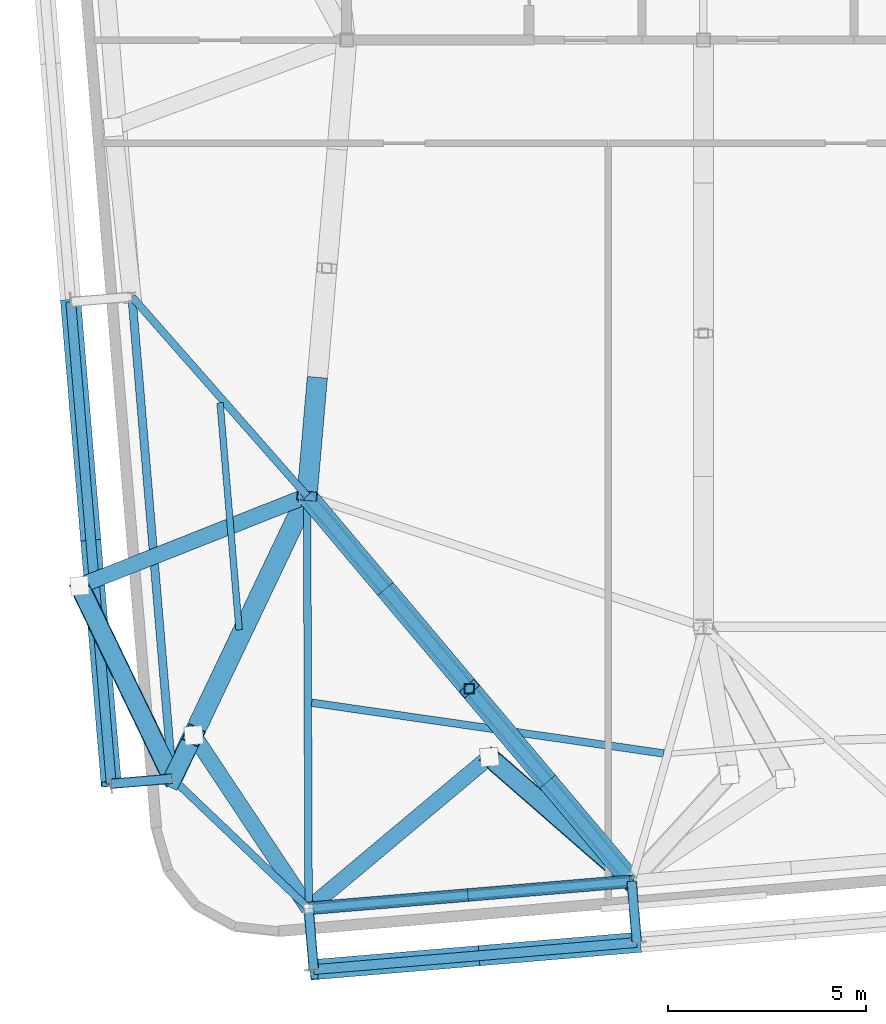
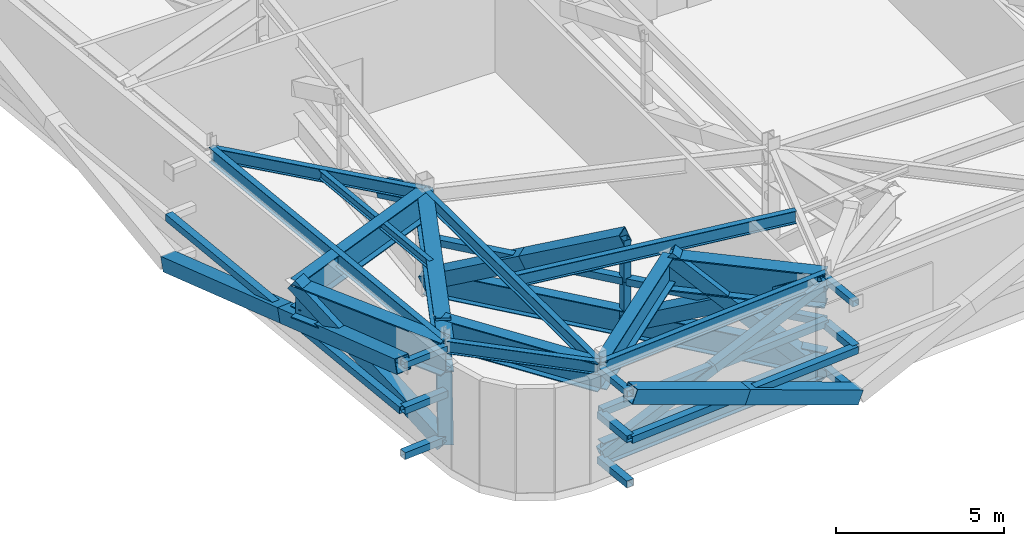
# One storey, part 7 of 26: 31 members, 13 beams.
"""IFC4 building model written with IfcOpenShell, lengths in metres."""

import ifcopenshell
import ifcopenshell.guid

model = None  # the IFC model being written
_history = None  # IfcOwnerHistory: only IFC2X3 demands one
_inside = {}  # id of a spatial element -> (the spatial element, [elements in it])
_under = {}  # id of a project, library or spatial element -> (it, [spatial elements below it])
_declared = {}  # id of a project -> (the project, [libraries it declares])
_typed = {}  # id of a type object -> (the type object, [elements of that type])
_made_of = {}  # id of a material, layer set ... -> (it, [elements and type objects made of it])


def new_model(schema):
    """Start an empty IFC model of exactly this schema.

    Asked for "IFC4X3", IfcOpenShell would pick the latest addendum, in which some entities
    have other attributes; the version numbers below select the first issue.
    IFC2X3 requires an IfcOwnerHistory on every rooted entity: one is made here for all.
    """
    global model, _history
    if schema == "IFC4X3":
        model = ifcopenshell.file(schema_version=(4, 3, 0, 0))
    else:
        model = ifcopenshell.file(schema=schema)
    _inside.clear()
    _under.clear()
    _declared.clear()
    _typed.clear()
    _made_of.clear()
    _history = None
    if model.schema == "IFC2X3":
        org = make("IfcOrganization", Name="unknown")
        user = make(
            "IfcPersonAndOrganization",
            ThePerson=make("IfcPerson", FamilyName="unknown"),
            TheOrganization=org,
        )
        app = make(
            "IfcApplication",
            ApplicationDeveloper=org,
            Version="unknown",
            ApplicationFullName="unknown",
            ApplicationIdentifier="unknown",
        )
        _history = make(
            "IfcOwnerHistory",
            OwningUser=user,
            OwningApplication=app,
            ChangeAction="ADDED",
            CreationDate=0,
        )
    return model


def make(cls, **values):
    """One entity of the class cls with the attributes given. An attribute that is None is left unset."""
    return model.create_entity(
        cls, **{name: value for name, value in values.items() if value is not None}
    )


def rooted(cls, **values):
    """An entity with a GlobalId (a new one), such as an element, a storey or a relation."""
    return make(cls, GlobalId=ifcopenshell.guid.new(), OwnerHistory=_history, **values)


def si_unit(unit_type, name, prefix=None):
    """IfcSIUnit, for example si_unit("LENGTHUNIT", "METRE", prefix="MILLI")."""
    return make("IfcSIUnit", UnitType=unit_type, Prefix=prefix, Name=name)


def assignment(units):
    """IfcUnitAssignment: the units of a project."""
    return None if units is None else make("IfcUnitAssignment", Units=units)


def point(xyz):
    """IfcCartesianPoint."""
    return None if xyz is None else make("IfcCartesianPoint", Coordinates=xyz)


def direction(xyz):
    """IfcDirection."""
    return None if xyz is None else make("IfcDirection", DirectionRatios=xyz)


def frame(location, z_axis=None, x_axis=None):
    """IfcAxis2Placement3D, a coordinate frame: its origin and axes. An axis left out is left unset."""
    return make(
        "IfcAxis2Placement3D",
        Location=point(location),
        Axis=direction(z_axis),
        RefDirection=direction(x_axis),
    )


def frame_2d(location, x_axis=None):
    """IfcAxis2Placement2D, a coordinate frame in the plane: its origin and x axis."""
    return make(
        "IfcAxis2Placement2D", Location=point(location), RefDirection=direction(x_axis)
    )


def origin():
    """The frame at (0, 0, 0) with its axes left unset."""
    return frame((0.0, 0.0, 0.0))


def origin_2d():
    """The frame at (0, 0) in the plane with its x axis left unset."""
    return frame_2d((0.0, 0.0))


def place(relative_to, where):
    """IfcLocalPlacement: puts the frame where relative to a parent placement (None: the world)."""
    return make(
        "IfcLocalPlacement", PlacementRelTo=relative_to, RelativePlacement=where
    )


def context(
    kind, dimensions, precision=None, world=None, true_north=None, identifier=None
):
    """IfcGeometricRepresentationContext, for example the 3D "Model" context."""
    return make(
        "IfcGeometricRepresentationContext",
        ContextIdentifier=identifier,
        ContextType=kind,
        CoordinateSpaceDimension=dimensions,
        Precision=precision,
        WorldCoordinateSystem=world,
        TrueNorth=true_north,
    )


def subcontext(parent, identifier, kind, view, scale=None):
    """IfcGeometricRepresentationSubContext, for example "Body" below "Model"."""
    return make(
        "IfcGeometricRepresentationSubContext",
        ContextIdentifier=identifier,
        ContextType=kind,
        ParentContext=parent,
        TargetScale=scale,
        TargetView=view,
    )


def project(units=None, contexts=None):
    """IfcProject with its units and contexts."""
    return rooted(
        "IfcProject",
        Name="project",
        RepresentationContexts=contexts,
        UnitsInContext=assignment(units),
    )


def spatial(cls, under=None, at=None, **own):
    """A site, building, storey or space (cls), placed at a placement, below another one or the project."""
    s = rooted(cls, ObjectPlacement=at, **own)
    if under is not None:
        _under.setdefault(under.id(), (under, []))[1].append(s)
    return s


def profile(cls, at=None, kind="AREA", **sizes):
    """A parametric profile (cls). Its sizes go by their IFC names, for example OverallWidth=200.0."""
    return make(cls, ProfileType=kind, Position=at, **sizes)


def hollow_rectangle(**sizes):
    """IfcRectangleHollowProfileDef."""
    return profile("IfcRectangleHollowProfileDef", **sizes)


def i_section(**sizes):
    """IfcIShapeProfileDef."""
    return profile("IfcIShapeProfileDef", **sizes)


def extrude(swept, where, along, depth):
    """IfcExtrudedAreaSolid: the profile swept, set in the frame where, extruded along a direction by depth."""
    return make(
        "IfcExtrudedAreaSolid",
        SweptArea=swept,
        Position=where,
        ExtrudedDirection=direction(along),
        Depth=depth,
    )


def shape(context_of_items, identifier, shape_type, items):
    """IfcShapeRepresentation: the items that make up one representation, for example the "Body"."""
    return make(
        "IfcShapeRepresentation",
        ContextOfItems=context_of_items,
        RepresentationIdentifier=identifier,
        RepresentationType=shape_type,
        Items=items,
    )


def source(mapping_origin, context_of_items, identifier, shape_type, items):
    """IfcRepresentationMap: a shape defined once, which mapped items show again and again."""
    return make(
        "IfcRepresentationMap",
        MappingOrigin=mapping_origin,
        MappedRepresentation=shape(context_of_items, identifier, shape_type, items),
    )


def transform(
    local_origin,
    x_axis=None,
    y_axis=None,
    z_axis=None,
    scale=None,
    scale2=None,
    scale3=None,
    uniform=True,
):
    """IfcCartesianTransformationOperator3D, or its non-uniform kind. x_axis, y_axis, z_axis: its Axis1, 2, 3."""
    if uniform:
        return make(
            "IfcCartesianTransformationOperator3D",
            Axis1=direction(x_axis),
            Axis2=direction(y_axis),
            LocalOrigin=point(local_origin),
            Scale=scale,
            Axis3=direction(z_axis),
        )
    return make(
        "IfcCartesianTransformationOperator3DnonUniform",
        Axis1=direction(x_axis),
        Axis2=direction(y_axis),
        LocalOrigin=point(local_origin),
        Scale=scale,
        Axis3=direction(z_axis),
        Scale2=scale2,
        Scale3=scale3,
    )


def mapped(mapping_source, mapping_target):
    """IfcMappedItem: shows the shape of a source again, moved by a transform."""
    return make(
        "IfcMappedItem", MappingSource=mapping_source, MappingTarget=mapping_target
    )


def material(Name=None, Category=None):
    """IfcMaterial."""
    return make("IfcMaterial", Name=Name, Category=Category)


def material_profile(
    of_material, cross_section, Name=None, Category=None, Priority=None
):
    """IfcMaterialProfile: a cross section and its material."""
    return make(
        "IfcMaterialProfile",
        Name=Name,
        Material=of_material,
        Profile=cross_section,
        Priority=Priority,
        Category=Category,
    )


def profile_set(profiles, Name=None, composite=None):
    """IfcMaterialProfileSet."""
    return make(
        "IfcMaterialProfileSet",
        Name=Name,
        MaterialProfiles=profiles,
        CompositeProfile=composite,
    )


def made_of(thing, what):
    """Note that an element or type object is made of a material, layer set ...; save() writes the relation."""
    if what is not None:
        _made_of.setdefault(what.id(), (what, []))[1].append(thing)
    return thing


def type_object(cls, material=None, **own):
    """A type object (cls), such as IfcWallType, which elements share."""
    return made_of(rooted(cls, **own), material)


def element(
    cls,
    number,
    at=None,
    inside=None,
    cuts=None,
    type_object=None,
    material=None,
    context=None,
    identifier="Body",
    shape_type=None,
    held_by="IfcProductDefinitionShape",
    body=None,
    shapes=None,
    **own,
):
    """One element of the class cls, such as IfcWall. Its Tag is "e" and its number.

    at: its placement. inside: the storey or other place that contains it. cuts: it is an
    opening in that element (IfcRelVoidsElement). A single representation is given by context,
    identifier, shape_type and body (its items); several are given by shapes. held_by: the class
    of the entity that holds the representations. save() writes the other relations.
    """
    e = rooted(cls, Tag="e%d" % number, ObjectPlacement=at, **own)
    if body is not None:
        shapes = [shape(context, identifier, shape_type, body)]
    if shapes is not None:
        e.Representation = make(held_by, Representations=shapes)
    if inside is not None:
        _inside.setdefault(inside.id(), (inside, []))[1].append(e)
    if cuts is not None:
        rooted(
            "IfcRelVoidsElement", RelatingBuildingElement=cuts, RelatedOpeningElement=e
        )
    if type_object is not None:
        _typed.setdefault(type_object.id(), (type_object, []))[1].append(e)
    return made_of(e, material)


def aggregate(whole, parts):
    """IfcRelAggregates: a whole, such as a stair, and the parts it consists of."""
    return rooted("IfcRelAggregates", RelatingObject=whole, RelatedObjects=parts)


def save(model, path):
    """Write the relations noted so far, then the file.

    IfcRelAggregates (storeys below a building ...), IfcRelContainedInSpatialStructure (elements
    in a storey), IfcRelDefinesByType, IfcRelAssociatesMaterial and IfcRelDeclares: one each for
    every whole, place, type object, material and project.
    """
    for whole, parts in _under.values():
        aggregate(whole, parts)
    for where, things in _inside.values():
        rooted(
            "IfcRelContainedInSpatialStructure",
            RelatedElements=things,
            RelatingStructure=where,
        )
    for kind, things in _typed.values():
        rooted("IfcRelDefinesByType", RelatedObjects=things, RelatingType=kind)
    for what, things in _made_of.values():
        rooted("IfcRelAssociatesMaterial", RelatedObjects=things, RelatingMaterial=what)
    for by, libraries in _declared.values():
        rooted("IfcRelDeclares", RelatingContext=by, RelatedDefinitions=libraries)
    model.write(path)


model = new_model("IFC4")

# Units and contexts
model_context = context("Model", 3, precision=1e-05, world=origin(), true_north=direction((0.0, 1.0)))
body_context = subcontext(model_context, "Body", "Model", "MODEL_VIEW")
ifc_project = project(units=[si_unit("LENGTHUNIT", "METRE"), si_unit("AREAUNIT", "SQUARE_METRE"), si_unit("VOLUMEUNIT", "CUBIC_METRE"), si_unit("PLANEANGLEUNIT", "RADIAN"), si_unit("MASSUNIT", "GRAM", prefix="KILO")], contexts=[model_context])

# Site, building, storey
site_placement = place(None, origin())
site = spatial("IfcSite", under=ifc_project, at=site_placement, CompositionType="ELEMENT")
building_placement = place(site_placement, origin())
building = spatial("IfcBuilding", under=site, at=building_placement, Name="Taldren Reach Tower", CompositionType="ELEMENT")
storey_placement = place(building_placement, frame((0.0, 0.0, 207.199951171875)))
storey = spatial("IfcBuildingStorey", under=building, at=storey_placement, Name="L63", CompositionType="ELEMENT", Elevation=207.199951171875)

# Members
ifc_material_1 = material(Name="Steel Gr 350 (C350L0)", Category="steel")
ifc_material_profile_1 = material_profile(ifc_material_1, hollow_rectangle(XDim=0.25, YDim=0.25, WallThickness=0.010009765625, at=origin_2d()), Name="250x250x10.0SHS")
ifc_profile_set_1 = profile_set([ifc_material_profile_1], Name="Steel Gr 350 (C350L0)")
member_type_1 = type_object("IfcMemberType", Name="MB-POST250", PredefinedType="POST", material=ifc_profile_set_1)
shared_shape_1 = source(origin(), body_context, "Body", "SweptSolid", [
    extrude(hollow_rectangle(XDim=0.25, YDim=0.25, WallThickness=0.010009765625, at=origin_2d()), origin(), (0.0, 0.0, 1.0), 1.5498046875),
])
for number, where, z_axis, x_axis, name in (
    (1, (18.03955078125, 2.093994140625, 0.219970703125), (0.083801560254, -0.996482462715, 0.0), (0.996482462715, 0.083801560254, 0.0), "Exoskeleton base diaphragm tie strut B4-S1 L63"),
    (2, (18.03955078125, 2.093994140625, 1.860107421875), (0.083801560254, -0.996482462715, 0.0), (0.996482462715, 0.083801560254, 0.0), "Exoskeleton mid-tier diaphragm tie B4-S1 L63"),
):
    element("IfcMember", number, at=place(storey_placement, frame(where, z_axis=z_axis, x_axis=x_axis)), inside=storey, type_object=member_type_1, Name=name, PredefinedType="POST", context=body_context, shape_type="MappedRepresentation", body=[
        mapped(shared_shape_1, transform((0.0, 0.0, 0.0), scale=1.0)),
    ])
ifc_material_2 = material(Name="Steel Gr 450 (C450L0)", Category="steel")
ifc_material_profile_2 = material_profile(ifc_material_2, hollow_rectangle(XDim=0.510009765625, YDim=0.510009765625, WallThickness=0.02001953125, at=origin_2d()), Name="510x510x20.0SHS")
ifc_profile_set_2 = profile_set([ifc_material_profile_2], Name="Steel Gr 450 (C450L0)")
member_type_2 = type_object("IfcMemberType", Name="MB-EXO508", PredefinedType="BRACE", material=ifc_profile_set_2)
shared_shape_2 = source(origin(), body_context, "Body", "SweptSolid", [
    extrude(hollow_rectangle(XDim=0.510009765625, YDim=0.510009765625, WallThickness=0.02001953125, at=origin_2d()), origin(), (0.0, 0.0, 1.0), 3.5166015625),
])
member_1_placement = place(storey_placement, frame((18.0, 12.5, 0.449951171875), z_axis=(0.582348655635, -0.691139826758, 0.428013765139), x_axis=(0.76472789845, 0.644353351301, 0.0)))
element("IfcMember", 3, at=member_1_placement, inside=storey, type_object=member_type_2, Name="Outrigger Transfer Truss Diagonal OT-W2A L63", PredefinedType="BRACE", context=body_context, shape_type="MappedRepresentation", body=[
    mapped(shared_shape_2, transform((0.0, 0.0, 0.0), scale=1.0)),
])
shared_shape_3 = source(origin(), body_context, "Body", "SweptSolid", [
    extrude(hollow_rectangle(XDim=0.25, YDim=0.25, WallThickness=0.010009765625, at=origin_2d()), origin(), (0.0, 0.0, 1.0), 1.5048828125),
])
member_2_placement = place(storey_placement, frame((22.095458984375, 7.63916015625, 1.955078125), z_axis=(0.0, 0.0, 1.0), x_axis=(1.0, 0.0, 0.0)))
element("IfcMember", 4, at=member_2_placement, inside=storey, type_object=member_type_1, Name="Outrigger Transfer Truss Vertical Post OT-W2 L63", PredefinedType="POST", context=body_context, shape_type="MappedRepresentation", body=[
    mapped(shared_shape_3, transform((0.0, 0.0, 0.0), scale=1.0)),
])
shared_shape_4 = source(origin(), body_context, "Body", "SweptSolid", [
    extrude(hollow_rectangle(XDim=0.25, YDim=0.25, WallThickness=0.010009765625, at=origin_2d()), origin(), (0.0, 0.0, 1.0), 1.505126953125),
])
member_3_placement = place(storey_placement, frame((22.095458984375, 7.63916015625, 0.449951171875), z_axis=(0.0, 0.0, 1.0), x_axis=(1.0, 0.0, 0.0)))
element("IfcMember", 5, at=member_3_placement, inside=storey, type_object=member_type_1, Name="Outrigger Transfer Truss Vertical Post OT-W2 L63", PredefinedType="POST", context=body_context, shape_type="MappedRepresentation", body=[
    mapped(shared_shape_4, transform((0.0, 0.0, 0.0), scale=1.0)),
])
shared_shape_5 = source(origin(), body_context, "Body", "SweptSolid", [
    extrude(hollow_rectangle(XDim=0.510009765625, YDim=0.510009765625, WallThickness=0.02001953125, at=origin_2d()), origin(), (0.0, 0.0, 1.0), 3.254638671875),
])
member_4_placement = place(storey_placement, frame((18.25, 15.375, 1.955078125), z_axis=(-0.076812991328, -0.883349400268, 0.462378201703), x_axis=(0.996240588196, -0.086629616365, 0.0)))
element("IfcMember", 6, at=member_4_placement, inside=storey, type_object=member_type_2, Name="Outrigger Transfer Truss Diagonal OT-W1B L63", PredefinedType="BRACE", context=body_context, shape_type="MappedRepresentation", body=[
    mapped(shared_shape_5, transform((0.0, 0.0, 0.0), scale=1.0)),
])
shared_shape_6 = source(origin(), body_context, "Body", "SweptSolid", [
    extrude(hollow_rectangle(XDim=0.25, YDim=0.25, WallThickness=0.010009765625, at=origin_2d()), origin(), (0.0, 0.0, 1.0), 1.550048828125),
])
for number, where, z_axis, x_axis, name in (
    (7, (26.19091796875, 2.778564453125, 0.219970703125), (0.083632013783, -0.996496706603, 0.0), (0.996496706603, 0.083632013783, 0.0), "Exoskeleton base diaphragm tie strut B4-S2 L63"),
    (8, (26.19091796875, 2.778564453125, 1.860107421875), (0.083632013783, -0.996496706603, 0.0), (0.996496706603, 0.083632013783, 0.0), "Exoskeleton mid-tier diaphragm tie B4-S2 L63"),
):
    element("IfcMember", number, at=place(storey_placement, frame(where, z_axis=z_axis, x_axis=x_axis)), inside=storey, type_object=member_type_1, Name=name, PredefinedType="POST", context=body_context, shape_type="MappedRepresentation", body=[
        mapped(shared_shape_6, transform((0.0, 0.0, 0.0), scale=1.0)),
    ])

# Beams
ifc_material_3 = material(Name="Steel Gr 350 (350PLUS)", Category="steel")
ifc_material_profile_3 = material_profile(ifc_material_3, i_section(OverallWidth=0.18994140625, OverallDepth=0.4541015625, WebThickness=0.008544921875, FlangeThickness=0.0126953125, at=origin_2d()), Name="460UB67.1")
ifc_profile_set_3 = profile_set([ifc_material_profile_3], Name="Steel Gr 350 (350PLUS)")
beam_type_1 = type_object("IfcBeamType", Name="SP-UB460B", PredefinedType="SPANDREL", material=ifc_profile_set_3)
shared_shape_7 = source(origin(), body_context, "Body", "SweptSolid", [
    extrude(i_section(OverallWidth=0.18994140625, OverallDepth=0.4541015625, WebThickness=0.008544921875, FlangeThickness=0.0126953125, at=origin_2d()), origin(), (0.0, 0.0, 1.0), 4.745849609375),
])
beam_1_placement = place(storey_placement, frame((14.603759765625, 5.367919921875, 3.552978515625), z_axis=(0.723954399605, -0.689847829084, 0.0), x_axis=(0.689847829084, 0.723954399605, 0.0)))
element("IfcBeam", 9, at=beam_1_placement, inside=storey, type_object=beam_type_1, Name="Perimeter spandrel B4 W1-S1 L63", PredefinedType="SPANDREL", context=body_context, shape_type="MappedRepresentation", body=[
    mapped(shared_shape_7, transform((0.0, 0.0, 0.0), scale=1.0)),
])
ifc_material_profile_4 = material_profile(ifc_material_3, i_section(OverallWidth=0.5, OverallDepth=1.199951171875, WebThickness=0.01611328125, FlangeThickness=0.0400390625, at=origin_2d()), Name="1200WB455")
ifc_profile_set_4 = profile_set([ifc_material_profile_4], Name="Steel Gr 350 (350PLUS)")
beam_type_2 = type_object("IfcBeamType", Name="BM-WB1200", PredefinedType="BEAM", material=ifc_profile_set_4)
shared_shape_8 = source(origin(), body_context, "Body", "SweptSolid", [
    extrude(i_section(OverallWidth=0.5, OverallDepth=1.199951171875, WebThickness=0.01611328125, FlangeThickness=0.0400390625, at=origin_2d()), origin(), (0.0, 0.0, 1.0), 7.8994140625),
])
beam_2_placement = place(storey_placement, frame((18.0, 12.5, 3.179931640625), z_axis=(-0.429934780074, -0.902859947546, 0.0), x_axis=(0.902859947546, -0.429934780074, 0.0)))
element("IfcBeam", 10, at=beam_2_placement, inside=storey, type_object=beam_type_2, Name="Belt Truss Transfer Girder TG-B5-S1A on L63", PredefinedType="BEAM", context=body_context, shape_type="MappedRepresentation", body=[
    mapped(shared_shape_8, transform((0.0, 0.0, 0.0), scale=1.0)),
])
shared_shape_9 = source(origin(), body_context, "Body", "SweptSolid", [
    extrude(i_section(OverallWidth=0.18994140625, OverallDepth=0.4541015625, WebThickness=0.008544921875, FlangeThickness=0.0126953125, at=origin_2d()), origin(), (0.0, 0.0, 1.0), 8.18017578125),
])
beam_3_placement = place(storey_placement, frame((18.03955078125, 2.093994140625, 3.552978515625), z_axis=(0.996492034688, 0.083687662192, 0.0), x_axis=(-0.083687662192, 0.996492034688, 0.0)))
element("IfcBeam", 11, at=beam_3_placement, inside=storey, type_object=beam_type_1, Name="Perimeter spandrel B4 S1-S2 L63", PredefinedType="SPANDREL", context=body_context, shape_type="MappedRepresentation", body=[
    mapped(shared_shape_9, transform((0.0, 0.0, 0.0), scale=1.0)),
])
ifc_material_profile_5 = material_profile(ifc_material_3, i_section(OverallWidth=0.208984375, OverallDepth=0.528076171875, WebThickness=0.009521484375, FlangeThickness=0.01318359375, at=origin_2d()), Name="530UB82.0")
ifc_profile_set_5 = profile_set([ifc_material_profile_5], Name="Steel Gr 350 (350PLUS)")
beam_type_3 = type_object("IfcBeamType", Name="SP-UB530B", PredefinedType="SPANDREL", material=ifc_profile_set_5)
shared_shape_10 = source(origin(), body_context, "Body", "SweptSolid", [
    extrude(i_section(OverallWidth=0.208984375, OverallDepth=0.528076171875, WebThickness=0.009521484375, FlangeThickness=0.01318359375, at=origin_2d()), origin(), (0.0, 0.0, 1.0), 12.199951171875),
])
beam_4_placement = place(storey_placement, frame((13.582763671875, 17.525146484375, 3.51611328125), z_axis=(0.083688038336, -0.996492003099, 0.0), x_axis=(0.996492003099, 0.083688038336, 0.0)))
element("IfcBeam", 12, at=beam_4_placement, inside=storey, type_object=beam_type_3, Name="Perimeter spandrel B4 W2-W1 L63", PredefinedType="SPANDREL", context=body_context, shape_type="MappedRepresentation", body=[
    mapped(shared_shape_10, transform((0.0, 0.0, 0.0), scale=1.0)),
])
ifc_material_profile_6 = material_profile(ifc_material_3, i_section(OverallWidth=0.19091796875, OverallDepth=0.4599609375, WebThickness=0.010009765625, FlangeThickness=0.01611328125, at=origin_2d()), Name="460UB82.1")
ifc_profile_set_6 = profile_set([ifc_material_profile_6], Name="Steel Gr 350 (350PLUS)")
beam_type_4 = type_object("IfcBeamType", Name="BM-UB460A", PredefinedType="BEAM", material=ifc_profile_set_6)
shared_shape_11 = source(origin(), body_context, "Body", "SweptSolid", [
    extrude(i_section(OverallWidth=0.19091796875, OverallDepth=0.4599609375, WebThickness=0.010009765625, FlangeThickness=0.01611328125, at=origin_2d()), origin(), (0.0, 0.0, 1.0), 10.406005859375),
])
beam_5_placement = place(storey_placement, frame((18.0, 12.5, 3.550048828125), z_axis=(0.003800737393, -0.999992777172, 0.0), x_axis=(0.999992777172, 0.003800737393, 0.0)))
element("IfcBeam", 13, at=beam_5_placement, inside=storey, type_object=beam_type_4, Name="Primary floor girder B4-S1 L63", PredefinedType="BEAM", context=body_context, shape_type="MappedRepresentation", body=[
    mapped(shared_shape_11, transform((0.0, 0.0, 0.0), scale=1.0)),
])
shared_shape_12 = source(origin(), body_context, "Body", "SweptSolid", [
    extrude(i_section(OverallWidth=0.19091796875, OverallDepth=0.4599609375, WebThickness=0.010009765625, FlangeThickness=0.01611328125, at=origin_2d()), origin(), (0.0, 0.0, 1.0), 6.690673828125),
])
beam_6_placement = place(storey_placement, frame((18.0, 12.5, 3.550048828125), z_axis=(-0.660215677485, 0.751076067521, 0.0), x_axis=(-0.751076067521, -0.660215677485, 0.0)))
element("IfcBeam", 14, at=beam_6_placement, inside=storey, type_object=beam_type_4, Name="Primary floor girder B4-W2 L63", PredefinedType="BEAM", context=body_context, shape_type="MappedRepresentation", body=[
    mapped(shared_shape_12, transform((0.0, 0.0, 0.0), scale=1.0)),
])
shared_shape_13 = source(origin(), body_context, "Body", "SweptSolid", [
    extrude(i_section(OverallWidth=0.19091796875, OverallDepth=0.4599609375, WebThickness=0.010009765625, FlangeThickness=0.01611328125, at=origin_2d()), origin(), (0.0, 0.0, 1.0), 8.9765625),
])
beam_7_placement = place(storey_placement, frame((18.115478515625, 7.283203125, 3.550048828125), z_axis=(0.989776873291, -0.142624475806, 0.0), x_axis=(0.142624475806, 0.989776873291, 0.0)))
element("IfcBeam", 15, at=beam_7_placement, inside=storey, type_object=beam_type_4, Name="Secondary floor beam B4 J1 L63", PredefinedType="BEAM", context=body_context, shape_type="MappedRepresentation", body=[
    mapped(shared_shape_13, transform((0.0, 0.0, 0.0), scale=1.0)),
])
ifc_material_4 = material(Name="Steel Gr 300 (300PLUS, 300 MPa)", Category="steel")
ifc_material_profile_7 = material_profile(ifc_material_4, i_section(OverallWidth=0.166015625, OverallDepth=0.306884765625, WebThickness=0.006591796875, FlangeThickness=0.01171875, at=origin_2d()), Name="310UB46.2")
ifc_profile_set_7 = profile_set([ifc_material_profile_7], Name="Steel Gr 300 (300PLUS, 300 MPa)")
beam_type_5 = type_object("IfcBeamType", Name="JS-UB310", PredefinedType="JOIST", material=ifc_profile_set_7)
shared_shape_14 = source(origin(), body_context, "Body", "SweptSolid", [
    extrude(i_section(OverallWidth=0.166015625, OverallDepth=0.306884765625, WebThickness=0.006591796875, FlangeThickness=0.01171875, at=origin_2d()), origin(), (0.0, 0.0, 1.0), 5.750244140625),
])
beam_8_placement = place(storey_placement, frame((16.285888671875, 9.122802734375, 3.62646484375), z_axis=(-0.083642808993, 0.996495800545, 0.0), x_axis=(-0.996495800545, -0.083642808993, 0.0)))
element("IfcBeam", 16, at=beam_8_placement, inside=storey, type_object=beam_type_5, Name="Secondary floor joist B4 J6 L63", PredefinedType="JOIST", context=body_context, shape_type="MappedRepresentation", body=[
    mapped(shared_shape_14, transform((0.0, 0.0, 0.0), scale=1.0)),
])

# Members
ifc_material_profile_8 = material_profile(ifc_material_2, hollow_rectangle(XDim=0.219970703125, YDim=0.219970703125, WallThickness=0.00830078125, at=origin_2d()), Name="220x220x8.2SHS")
ifc_profile_set_8 = profile_set([ifc_material_profile_8], Name="Steel Gr 450 (C450L0)")
member_type_3 = type_object("IfcMemberType", Name="MB-TIE219", PredefinedType="STRUT", material=ifc_profile_set_8)
shared_shape_15 = source(origin(), body_context, "Body", "SweptSolid", [
    extrude(hollow_rectangle(XDim=0.219970703125, YDim=0.219970703125, WallThickness=0.00830078125, at=origin_2d()), origin(), (0.0, 0.0, 1.0), 1.5498046875),
])
member_5_placement = place(storey_placement, frame((18.03955078125, 2.093994140625, 3.5), z_axis=(0.083801560254, -0.996482462715, 0.0), x_axis=(0.996482462715, 0.083801560254, 0.0)))
element("IfcMember", 17, at=member_5_placement, inside=storey, type_object=member_type_3, Name="Exoskeleton diaphragm tie strut B4-S1 L63", PredefinedType="STRUT", context=body_context, shape_type="MappedRepresentation", body=[
    mapped(shared_shape_15, transform((0.0, 0.0, 0.0), scale=1.0)),
])
shared_shape_16 = source(origin(), body_context, "Body", "SweptSolid", [
    extrude(hollow_rectangle(XDim=0.219970703125, YDim=0.219970703125, WallThickness=0.00830078125, at=origin_2d()), origin(), (0.0, 0.0, 1.0), 1.550048828125),
])
member_6_placement = place(storey_placement, frame((26.19091796875, 2.778564453125, 3.5), z_axis=(0.083632013783, -0.996496706603, 0.0), x_axis=(0.996496706603, 0.083632013783, 0.0)))
element("IfcMember", 18, at=member_6_placement, inside=storey, type_object=member_type_3, Name="Exoskeleton diaphragm tie strut B4-S2 L63", PredefinedType="STRUT", context=body_context, shape_type="MappedRepresentation", body=[
    mapped(shared_shape_16, transform((0.0, 0.0, 0.0), scale=1.0)),
])
shared_shape_17 = source(origin(), body_context, "Body", "SweptSolid", [
    extrude(hollow_rectangle(XDim=0.219970703125, YDim=0.219970703125, WallThickness=0.00830078125, at=origin_2d()), origin(), (0.0, 0.0, 1.0), 1.54541015625),
])
member_7_placement = place(storey_placement, frame((14.59912109375, 5.36767578125, 3.5), z_axis=(-0.99648887425, -0.083725285883, 0.0), x_axis=(0.083725285883, -0.99648887425, 0.0)))
element("IfcMember", 19, at=member_7_placement, inside=storey, type_object=member_type_3, Name="Exoskeleton diaphragm tie strut B4-W1 L63", PredefinedType="STRUT", context=body_context, shape_type="MappedRepresentation", body=[
    mapped(shared_shape_17, transform((0.0, 0.0, 0.0), scale=1.0)),
])
shared_shape_18 = source(origin(), body_context, "Body", "SweptSolid", [
    extrude(hollow_rectangle(XDim=0.25, YDim=0.25, WallThickness=0.010009765625, at=origin_2d()), origin(), (0.0, 0.0, 1.0), 8.1796875),
])
member_8_placement = place(storey_placement, frame((18.16943359375, 0.549560546875, 1.860107421875), z_axis=(0.996494314327, 0.083660513465, 0.0), x_axis=(-0.083660513465, 0.996494314327, 0.0)))
element("IfcMember", 20, at=member_8_placement, inside=storey, type_object=member_type_1, Name="Exoskeleton mid-height ring chord B4-S1 L63", PredefinedType="POST", context=body_context, shape_type="MappedRepresentation", body=[
    mapped(shared_shape_18, transform((0.0, 0.0, 0.0), scale=1.0)),
])
shared_shape_19 = source(origin(), body_context, "Body", "SweptSolid", [
    extrude(hollow_rectangle(XDim=0.25, YDim=0.25, WallThickness=0.010009765625, at=origin_2d()), origin(), (0.0, 0.0, 1.0), 8.18017578125),
])
member_9_placement = place(storey_placement, frame((18.03955078125, 2.093994140625, 1.955078125), z_axis=(0.996492034688, 0.083687662192, 0.0), x_axis=(-0.083687662192, 0.996492034688, 0.0)))
element("IfcMember", 21, at=member_9_placement, inside=storey, type_object=member_type_1, Name="Belt Truss Transfer Mid Chord S1 L63", PredefinedType="POST", context=body_context, shape_type="MappedRepresentation", body=[
    mapped(shared_shape_19, transform((0.0, 0.0, 0.0), scale=1.0)),
])
shared_shape_20 = source(origin(), body_context, "Body", "SweptSolid", [
    extrude(hollow_rectangle(XDim=0.25, YDim=0.25, WallThickness=0.010009765625, at=origin_2d()), origin(), (0.0, 0.0, 1.0), 12.199951171875),
])
member_10_placement = place(storey_placement, frame((13.05908203125, 5.23828125, 1.860107421875), z_axis=(-0.083688038336, 0.996492003099, 0.0), x_axis=(-0.996492003099, -0.083688038336, 0.0)))
element("IfcMember", 22, at=member_10_placement, inside=storey, type_object=member_type_1, Name="Exoskeleton mid-height ring chord B4-W1 L63", PredefinedType="POST", context=body_context, shape_type="MappedRepresentation", body=[
    mapped(shared_shape_20, transform((0.0, 0.0, 0.0), scale=1.0)),
])
shared_shape_21 = source(origin(), body_context, "Body", "SweptSolid", [
    extrude(hollow_rectangle(XDim=0.25, YDim=0.25, WallThickness=0.010009765625, at=origin_2d()), origin(), (0.0, 0.0, 1.0), 1.54541015625),
])
for number, where, z_axis, x_axis, name in (
    (23, (14.59912109375, 5.36767578125, 0.219970703125), (-0.99648887425, -0.083725285883, 0.0), (0.083725285883, -0.99648887425, 0.0), "Exoskeleton base diaphragm tie strut B4-W1 L63"),
    (24, (14.59912109375, 5.36767578125, 1.860107421875), (-0.99648887425, -0.083725285883, 0.0), (0.083725285883, -0.99648887425, 0.0), "Exoskeleton mid-tier diaphragm tie B4-W1 L63"),
):
    element("IfcMember", number, at=place(storey_placement, frame(where, z_axis=z_axis, x_axis=x_axis)), inside=storey, type_object=member_type_1, Name=name, PredefinedType="POST", context=body_context, shape_type="MappedRepresentation", body=[
        mapped(shared_shape_21, transform((0.0, 0.0, 0.0), scale=1.0)),
    ])
ifc_material_profile_9 = material_profile(ifc_material_2, hollow_rectangle(XDim=0.4599609375, YDim=0.4599609375, WallThickness=0.01611328125, at=origin_2d()), Name="460x460x16.0SHS")
ifc_profile_set_9 = profile_set([ifc_material_profile_9], Name="Steel Gr 450 (C450L0)")
member_type_4 = type_object("IfcMemberType", Name="MB-EXO457", PredefinedType="BRACE", material=ifc_profile_set_9)
shared_shape_22 = source(origin(), body_context, "Body", "SweptSolid", [
    extrude(hollow_rectangle(XDim=0.4599609375, YDim=0.4599609375, WallThickness=0.01611328125, at=origin_2d()), origin(), (0.0, 0.0, 1.0), 3.9521484375),
])
member_11_placement = place(storey_placement, frame((14.603759765625, 5.367919921875, 0.02001953125), z_axis=(0.135843506476, 0.27638192268, 0.951398746354), x_axis=(-0.897455424639, 0.441105158422, 0.0)))
element("IfcMember", 25, at=member_11_placement, inside=storey, type_object=member_type_4, Name="Outrigger Belt Truss Transfer Strut TS-B5-S1 L63", PredefinedType="BRACE", context=body_context, shape_type="MappedRepresentation", body=[
    mapped(shared_shape_22, transform((0.0, 0.0, 0.0), scale=1.0)),
])

# Beam
ifc_material_profile_10 = material_profile(ifc_material_3, i_section(OverallWidth=0.39990234375, OverallDepth=1.02392578125, WebThickness=0.01611328125, FlangeThickness=0.031982421875, at=origin_2d()), Name="1000WB322")
ifc_profile_set_10 = profile_set([ifc_material_profile_10], Name="Steel Gr 350 (350PLUS)")
beam_type_6 = type_object("IfcBeamType", Name="BM-WB1000", PredefinedType="BEAM", material=ifc_profile_set_10)
shared_shape_23 = source(origin(), body_context, "Body", "SweptSolid", [
    extrude(i_section(OverallWidth=0.39990234375, OverallDepth=1.02392578125, WebThickness=0.01611328125, FlangeThickness=0.031982421875, at=origin_2d()), origin(), (0.0, 0.0, 1.0), 5.240966796875),
])
beam_9_placement = place(storey_placement, frame((18.03955078125, 2.093994140625, 3.26806640625), z_axis=(-0.553129711613, 0.833095145905, 0.0), x_axis=(-0.833095145905, -0.553129711613, 0.0)))
element("IfcBeam", 26, at=beam_9_placement, inside=storey, type_object=beam_type_6, Name="Belt Truss Transfer Tie Girder TG-B5-S1B on L63", PredefinedType="BEAM", context=body_context, shape_type="MappedRepresentation", body=[
    mapped(shared_shape_23, transform((0.0, 0.0, 0.0), scale=1.0)),
])

# Member
shared_shape_24 = source(origin(), body_context, "Body", "SweptSolid", [
    extrude(hollow_rectangle(XDim=0.4599609375, YDim=0.4599609375, WallThickness=0.01611328125, at=origin_2d()), origin(), (0.0, 0.0, 1.0), 6.0703125),
])
member_12_placement = place(storey_placement, frame((26.19091796875, 2.778564453125, 0.02001953125), z_axis=(-0.59145674589, 0.516247707755, 0.619408768084), x_axis=(-0.657582888792, -0.753382203379, 0.0)))
element("IfcMember", 27, at=member_12_placement, inside=storey, type_object=member_type_4, Name="Outrigger Belt Truss Transfer Strut TS-B5-S2 L63", PredefinedType="BRACE", context=body_context, shape_type="MappedRepresentation", body=[
    mapped(shared_shape_24, transform((0.0, 0.0, 0.0), scale=1.0)),
])

# Beams
shared_shape_25 = source(origin(), body_context, "Body", "SweptSolid", [
    extrude(i_section(OverallWidth=0.5, OverallDepth=1.199951171875, WebThickness=0.01611328125, FlangeThickness=0.0400390625, at=origin_2d()), origin(), (0.0, 0.0, 1.0), 4.765625),
])
beam_10_placement = place(storey_placement, frame((26.19091796875, 2.778564453125, 3.179931640625), z_axis=(-0.753382203379, 0.657582888792, 0.0), x_axis=(-0.657582888792, -0.753382203379, 0.0)))
element("IfcBeam", 28, at=beam_10_placement, inside=storey, type_object=beam_type_2, Name="Belt Truss Transfer Girder TG-B5-S2A on L63", PredefinedType="BEAM", context=body_context, shape_type="MappedRepresentation", body=[
    mapped(shared_shape_25, transform((0.0, 0.0, 0.0), scale=1.0)),
])
shared_shape_26 = source(origin(), body_context, "Body", "SweptSolid", [
    extrude(i_section(OverallWidth=0.39990234375, OverallDepth=1.02392578125, WebThickness=0.01611328125, FlangeThickness=0.031982421875, at=origin_2d()), origin(), (0.0, 0.0, 1.0), 5.9482421875),
])
beam_11_placement = place(storey_placement, frame((18.03955078125, 2.093994140625, 3.26806640625), z_axis=(0.766772706802, 0.641918698982, 0.0), x_axis=(-0.641918698982, 0.766772706802, 0.0)))
element("IfcBeam", 29, at=beam_11_placement, inside=storey, type_object=beam_type_6, Name="Belt Truss Transfer Tie Girder TG-B5-S2B on L63", PredefinedType="BEAM", context=body_context, shape_type="MappedRepresentation", body=[
    mapped(shared_shape_26, transform((0.0, 0.0, 0.0), scale=1.0)),
])

# Member
shared_shape_27 = source(origin(), body_context, "Body", "SweptSolid", [
    extrude(hollow_rectangle(XDim=0.4599609375, YDim=0.4599609375, WallThickness=0.01611328125, at=origin_2d()), origin(), (0.0, 0.0, 1.0), 6.579345703125),
])
member_13_placement = place(storey_placement, frame((14.603759765625, 5.367919921875, 0.02001953125), z_axis=(-0.356370663235, 0.739198248887, 0.57147694549), x_axis=(-0.900782263794, -0.434271013578, 0.0)))
element("IfcMember", 30, at=member_13_placement, inside=storey, type_object=member_type_4, Name="Outrigger Belt Truss Transfer Strut TS-B5-W1 L63", PredefinedType="BRACE", context=body_context, shape_type="MappedRepresentation", body=[
    mapped(shared_shape_27, transform((0.0, 0.0, 0.0), scale=1.0)),
])

# Beams
shared_shape_28 = source(origin(), body_context, "Body", "SweptSolid", [
    extrude(i_section(OverallWidth=0.5, OverallDepth=1.199951171875, WebThickness=0.01611328125, FlangeThickness=0.0400390625, at=origin_2d()), origin(), (0.0, 0.0, 1.0), 5.399169921875),
])
beam_12_placement = place(storey_placement, frame((14.603759765625, 5.367919921875, 3.179931640625), z_axis=(-0.434271013578, 0.900782263794, 0.0), x_axis=(-0.900782263794, -0.434271013578, 0.0)))
element("IfcBeam", 31, at=beam_12_placement, inside=storey, type_object=beam_type_2, Name="Belt Truss Transfer Girder TG-B5-W1A on L63", PredefinedType="BEAM", context=body_context, shape_type="MappedRepresentation", body=[
    mapped(shared_shape_28, transform((0.0, 0.0, 0.0), scale=1.0)),
])
shared_shape_29 = source(origin(), body_context, "Body", "SweptSolid", [
    extrude(i_section(OverallWidth=0.39990234375, OverallDepth=1.02392578125, WebThickness=0.01611328125, FlangeThickness=0.031982421875, at=origin_2d()), origin(), (0.0, 0.0, 1.0), 6.1728515625),
])
beam_13_placement = place(storey_placement, frame((18.0, 12.5, 3.26806640625), z_axis=(-0.930023287794, -0.367500590695, 0.0), x_axis=(0.367500590695, -0.930023287794, 0.0)))
element("IfcBeam", 32, at=beam_13_placement, inside=storey, type_object=beam_type_6, Name="Belt Truss Transfer Tie Girder TG-B5-W1B on L63", PredefinedType="BEAM", context=body_context, shape_type="MappedRepresentation", body=[
    mapped(shared_shape_29, transform((0.0, 0.0, 0.0), scale=1.0)),
])

# Members
ifc_material_profile_11 = material_profile(ifc_material_3, i_section(OverallWidth=0.35009765625, OverallDepth=0.916015625, WebThickness=0.013916015625, FlangeThickness=0.028076171875, at=origin_2d()), Name="900WB257")
ifc_profile_set_11 = profile_set([ifc_material_profile_11], Name="Steel Gr 350 (350PLUS)")
member_type_5 = type_object("IfcMemberType", Name="MB-CH900", PredefinedType="CHORD", material=ifc_profile_set_11)
shared_shape_30 = source(origin(), body_context, "Body", "SweptSolid", [
    extrude(i_section(OverallWidth=0.35009765625, OverallDepth=0.916015625, WebThickness=0.013916015625, FlangeThickness=0.028076171875, at=origin_2d()), origin(), (0.0, 0.0, 1.0), 12.712158203125),
])
member_14_placement = place(storey_placement, frame((18.0, 12.5, 0.449951171875), z_axis=(0.644340351808, -0.764738851525, 0.0), x_axis=(0.764738851525, 0.644340351808, 0.0)))
element("IfcMember", 33, at=member_14_placement, inside=storey, type_object=member_type_5, Name="Outrigger Transfer Truss Bottom Chord OT-W2 L63", PredefinedType="CHORD", context=body_context, shape_type="MappedRepresentation", body=[
    mapped(shared_shape_30, transform((0.0, 0.0, 0.0), scale=1.0)),
])
shared_shape_31 = source(origin(), body_context, "Body", "SweptSolid", [
    extrude(hollow_rectangle(XDim=0.25, YDim=0.25, WallThickness=0.010009765625, at=origin_2d()), origin(), (0.0, 0.0, 1.0), 12.712158203125),
])
member_15_placement = place(storey_placement, frame((18.0, 12.5, 1.955078125), z_axis=(0.644340351808, -0.764738851525, 0.0), x_axis=(0.764738851525, 0.644340351808, 0.0)))
element("IfcMember", 34, at=member_15_placement, inside=storey, type_object=member_type_1, Name="Outrigger Transfer Truss Mid Chord OT-W2 L63", PredefinedType="POST", context=body_context, shape_type="MappedRepresentation", body=[
    mapped(shared_shape_31, transform((0.0, 0.0, 0.0), scale=1.0)),
])
shared_shape_32 = source(origin(), body_context, "Body", "SweptSolid", [
    extrude(hollow_rectangle(XDim=0.510009765625, YDim=0.510009765625, WallThickness=0.02001953125, at=origin_2d()), origin(), (0.0, 0.0, 1.0), 3.516357421875),
])
for number, where, z_axis, x_axis, name in (
    (35, (20.0478515625, 10.069580078125, 1.955078125), (0.582320075183, -0.691188309102, 0.427974358343), (0.764765751689, 0.644308423849, 0.0), "Outrigger Transfer Truss Diagonal OT-W2A L63"),
    (36, (22.095458984375, 7.63916015625, 0.449951171875), (0.582376599283, -0.691103560951, 0.428034303121), (0.764696001282, 0.64439120542, 0.0), "Outrigger Transfer Truss Diagonal OT-W2B L63"),
    (37, (24.143310546875, 5.208984375, 1.955078125), (0.582320075183, -0.691188309102, 0.427974358343), (0.764765751689, 0.644308423849, 0.0), "Outrigger Transfer Truss Diagonal OT-W2B L63"),
):
    element("IfcMember", number, at=place(storey_placement, frame(where, z_axis=z_axis, x_axis=x_axis)), inside=storey, type_object=member_type_2, Name=name, PredefinedType="BRACE", context=body_context, shape_type="MappedRepresentation", body=[
        mapped(shared_shape_32, transform((0.0, 0.0, 0.0), scale=1.0)),
    ])
ifc_material_profile_12 = material_profile(ifc_material_3, i_section(OverallWidth=0.300048828125, OverallDepth=0.81591796875, WebThickness=0.011962890625, FlangeThickness=0.02392578125, at=origin_2d()), Name="800WB192")
ifc_profile_set_12 = profile_set([ifc_material_profile_12], Name="Steel Gr 350 (350PLUS)")
member_type_6 = type_object("IfcMemberType", Name="MB-CH800", PredefinedType="CHORD", material=ifc_profile_set_12)
shared_shape_33 = source(origin(), body_context, "Body", "SweptSolid", [
    extrude(i_section(OverallWidth=0.300048828125, OverallDepth=0.81591796875, WebThickness=0.011962890625, FlangeThickness=0.02392578125, at=origin_2d()), origin(), (0.0, 0.0, 1.0), 8.18017578125),
])
member_16_placement = place(storey_placement, frame((18.03955078125, 2.093994140625, 0.449951171875), z_axis=(0.996492034688, 0.083687662192, 0.0), x_axis=(-0.083687662192, 0.996492034688, 0.0)))
element("IfcMember", 38, at=member_16_placement, inside=storey, type_object=member_type_6, Name="Belt Truss Transfer Bottom Chord S1 L63", PredefinedType="CHORD", context=body_context, shape_type="MappedRepresentation", body=[
    mapped(shared_shape_33, transform((0.0, 0.0, 0.0), scale=1.0)),
])
ifc_material_profile_13 = material_profile(ifc_material_2, hollow_rectangle(XDim=0.324951171875, YDim=0.324951171875, WallThickness=0.0126953125, at=origin_2d()), Name="325x325x12.7SHS")
ifc_profile_set_13 = profile_set([ifc_material_profile_13], Name="Steel Gr 450 (C450L0)")
member_type_7 = type_object("IfcMemberType", Name="MB-BR324", PredefinedType="BRACE", material=ifc_profile_set_13)
shared_shape_34 = source(origin(), body_context, "Body", "SweptSolid", [
    extrude(hollow_rectangle(XDim=0.324951171875, YDim=0.324951171875, WallThickness=0.0126953125, at=origin_2d()), origin(), (0.0, 0.0, 1.0), 4.358154296875),
])
for number, where, z_axis, x_axis, name in (
    (39, (18.03955078125, 2.093994140625, 0.449951171875), (0.935179447034, 0.078538491958, 0.34535649281), (-0.083687662192, 0.996492034688, 0.0), "Belt Truss Transfer Diagonal S1 L63"),
    (40, (22.115234375, 2.436279296875, 1.955078125), (0.935197538531, 0.078540011323, 0.345307153918), (-0.083687662192, 0.996492034688, 0.0), "Belt Truss Transfer Diagonal S1 L63"),
):
    element("IfcMember", number, at=place(storey_placement, frame(where, z_axis=z_axis, x_axis=x_axis)), inside=storey, type_object=member_type_7, Name=name, PredefinedType="BRACE", context=body_context, shape_type="MappedRepresentation", body=[
        mapped(shared_shape_34, transform((0.0, 0.0, 0.0), scale=1.0)),
    ])
shared_shape_35 = source(origin(), body_context, "Body", "SweptSolid", [
    extrude(hollow_rectangle(XDim=0.510009765625, YDim=0.510009765625, WallThickness=0.02001953125, at=origin_2d()), origin(), (0.0, 0.0, 1.0), 4.406494140625),
])
for number, where, z_axis, x_axis, name in (
    (41, (26.320556640625, 1.23388671875, 0.219970703125), (-0.924889672529, -0.077678986455, 0.372216427248), (0.083692640416, -0.996491616593, 0.0), "Exoskeleton Diagrid Brace B4-S1 L63"),
    (42, (22.2451171875, 0.8916015625, 1.860107421875), (-0.924920732869, -0.077621537483, 0.372151225751), (0.083628388178, -0.996497010879, 0.0), "Exoskeleton Diagrid Brace B4-S1 L63"),
):
    element("IfcMember", number, at=place(storey_placement, frame(where, z_axis=z_axis, x_axis=x_axis)), inside=storey, type_object=member_type_2, Name=name, PredefinedType="BRACE", context=body_context, shape_type="MappedRepresentation", body=[
        mapped(shared_shape_35, transform((0.0, 0.0, 0.0), scale=1.0)),
    ])
shared_shape_36 = source(origin(), body_context, "Body", "SweptSolid", [
    extrude(hollow_rectangle(XDim=0.510009765625, YDim=0.510009765625, WallThickness=0.02001953125, at=origin_2d()), origin(), (0.0, 0.0, 1.0), 6.316650390625),
])
for number, where, z_axis, x_axis, name in (
    (43, (12.0380859375, 17.3955078125, 0.219970703125), (0.080817715434, -0.962314432749, 0.259652516636), (0.996492003099, 0.083688038336, 0.0), "Exoskeleton Diagrid Brace B4-W1 L63"),
    (44, (12.548583984375, 11.31689453125, 1.860107421875), (0.080818526443, -0.962324089617, 0.259616471602), (0.996492003099, 0.083688038336, 0.0), "Exoskeleton Diagrid Brace B4-W1 L63"),
):
    element("IfcMember", number, at=place(storey_placement, frame(where, z_axis=z_axis, x_axis=x_axis)), inside=storey, type_object=member_type_2, Name=name, PredefinedType="BRACE", context=body_context, shape_type="MappedRepresentation", body=[
        mapped(shared_shape_36, transform((0.0, 0.0, 0.0), scale=1.0)),
    ])

save(model, "model.ifc")
